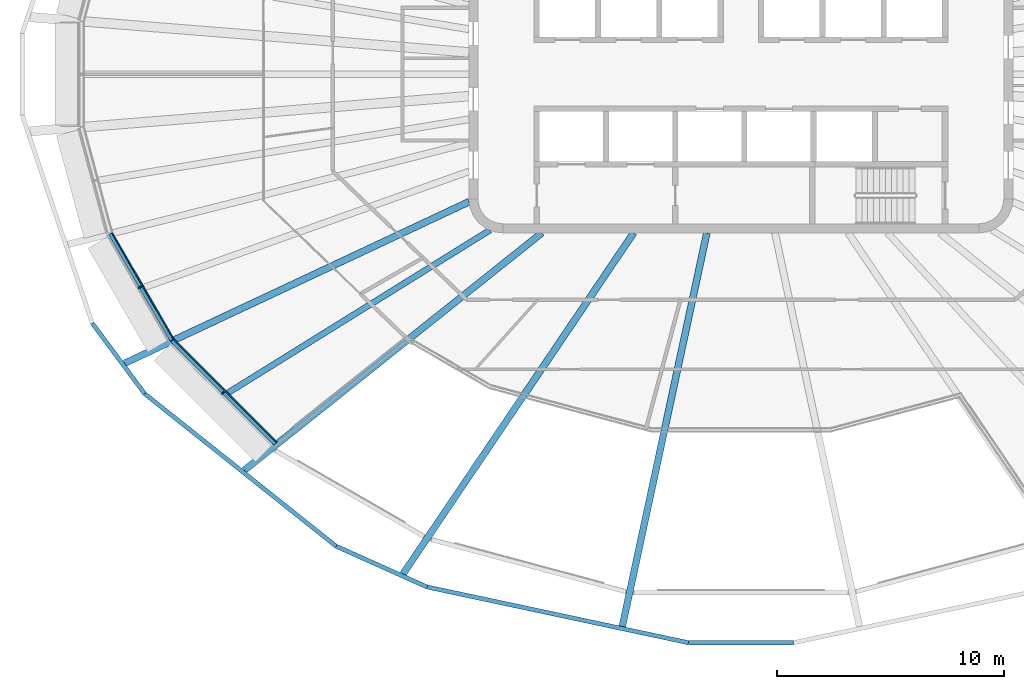
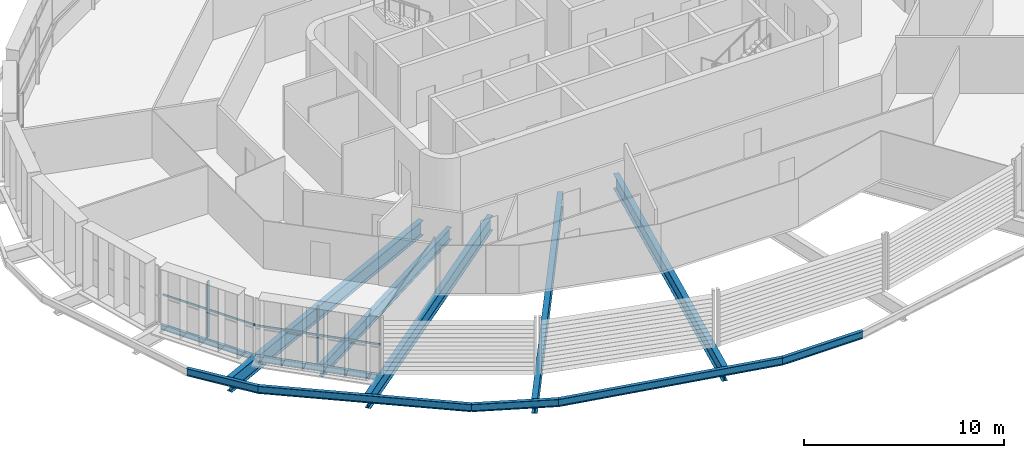
# One storey, part 1 of 19: 12 beams, 4 members, 2 elements without a shape of their own.
"""IFC4 building model written with IfcOpenShell, lengths in metres."""

import ifcopenshell
import ifcopenshell.guid

model = None  # the IFC model being written
_history = None  # IfcOwnerHistory: only IFC2X3 demands one
_inside = {}  # id of a spatial element -> (the spatial element, [elements in it])
_under = {}  # id of a project, library or spatial element -> (it, [spatial elements below it])
_declared = {}  # id of a project -> (the project, [libraries it declares])
_typed = {}  # id of a type object -> (the type object, [elements of that type])
_made_of = {}  # id of a material, layer set ... -> (it, [elements and type objects made of it])


def new_model(schema):
    """Start an empty IFC model of exactly this schema.

    Asked for "IFC4X3", IfcOpenShell would pick the latest addendum, in which some entities
    have other attributes; the version numbers below select the first issue.
    IFC2X3 requires an IfcOwnerHistory on every rooted entity: one is made here for all.
    """
    global model, _history
    if schema == "IFC4X3":
        model = ifcopenshell.file(schema_version=(4, 3, 0, 0))
    else:
        model = ifcopenshell.file(schema=schema)
    _inside.clear()
    _under.clear()
    _declared.clear()
    _typed.clear()
    _made_of.clear()
    _history = None
    if model.schema == "IFC2X3":
        org = make("IfcOrganization", Name="unknown")
        user = make(
            "IfcPersonAndOrganization",
            ThePerson=make("IfcPerson", FamilyName="unknown"),
            TheOrganization=org,
        )
        app = make(
            "IfcApplication",
            ApplicationDeveloper=org,
            Version="unknown",
            ApplicationFullName="unknown",
            ApplicationIdentifier="unknown",
        )
        _history = make(
            "IfcOwnerHistory",
            OwningUser=user,
            OwningApplication=app,
            ChangeAction="ADDED",
            CreationDate=0,
        )
    return model


def make(cls, **values):
    """One entity of the class cls with the attributes given. An attribute that is None is left unset."""
    return model.create_entity(
        cls, **{name: value for name, value in values.items() if value is not None}
    )


def rooted(cls, **values):
    """An entity with a GlobalId (a new one), such as an element, a storey or a relation."""
    return make(cls, GlobalId=ifcopenshell.guid.new(), OwnerHistory=_history, **values)


def si_unit(unit_type, name, prefix=None):
    """IfcSIUnit, for example si_unit("LENGTHUNIT", "METRE", prefix="MILLI")."""
    return make("IfcSIUnit", UnitType=unit_type, Prefix=prefix, Name=name)


def assignment(units):
    """IfcUnitAssignment: the units of a project."""
    return None if units is None else make("IfcUnitAssignment", Units=units)


def point(xyz):
    """IfcCartesianPoint."""
    return None if xyz is None else make("IfcCartesianPoint", Coordinates=xyz)


def direction(xyz):
    """IfcDirection."""
    return None if xyz is None else make("IfcDirection", DirectionRatios=xyz)


def frame(location, z_axis=None, x_axis=None):
    """IfcAxis2Placement3D, a coordinate frame: its origin and axes. An axis left out is left unset."""
    return make(
        "IfcAxis2Placement3D",
        Location=point(location),
        Axis=direction(z_axis),
        RefDirection=direction(x_axis),
    )


def frame_2d(location, x_axis=None):
    """IfcAxis2Placement2D, a coordinate frame in the plane: its origin and x axis."""
    return make(
        "IfcAxis2Placement2D", Location=point(location), RefDirection=direction(x_axis)
    )


def origin():
    """The frame at (0, 0, 0) with its axes left unset."""
    return frame((0.0, 0.0, 0.0))


def origin_2d():
    """The frame at (0, 0) in the plane with its x axis left unset."""
    return frame_2d((0.0, 0.0))


def place(relative_to, where):
    """IfcLocalPlacement: puts the frame where relative to a parent placement (None: the world)."""
    return make(
        "IfcLocalPlacement", PlacementRelTo=relative_to, RelativePlacement=where
    )


def context(
    kind, dimensions, precision=None, world=None, true_north=None, identifier=None
):
    """IfcGeometricRepresentationContext, for example the 3D "Model" context."""
    return make(
        "IfcGeometricRepresentationContext",
        ContextIdentifier=identifier,
        ContextType=kind,
        CoordinateSpaceDimension=dimensions,
        Precision=precision,
        WorldCoordinateSystem=world,
        TrueNorth=true_north,
    )


def subcontext(parent, identifier, kind, view, scale=None):
    """IfcGeometricRepresentationSubContext, for example "Body" below "Model"."""
    return make(
        "IfcGeometricRepresentationSubContext",
        ContextIdentifier=identifier,
        ContextType=kind,
        ParentContext=parent,
        TargetScale=scale,
        TargetView=view,
    )


def project(units=None, contexts=None):
    """IfcProject with its units and contexts."""
    return rooted(
        "IfcProject",
        Name="project",
        RepresentationContexts=contexts,
        UnitsInContext=assignment(units),
    )


def spatial(cls, under=None, at=None, **own):
    """A site, building, storey or space (cls), placed at a placement, below another one or the project."""
    s = rooted(cls, ObjectPlacement=at, **own)
    if under is not None:
        _under.setdefault(under.id(), (under, []))[1].append(s)
    return s


def profile(cls, at=None, kind="AREA", **sizes):
    """A parametric profile (cls). Its sizes go by their IFC names, for example OverallWidth=200.0."""
    return make(cls, ProfileType=kind, Position=at, **sizes)


def rectangle(**sizes):
    """IfcRectangleProfileDef."""
    return profile("IfcRectangleProfileDef", **sizes)


def i_section(**sizes):
    """IfcIShapeProfileDef."""
    return profile("IfcIShapeProfileDef", **sizes)


def extrude(swept, where, along, depth):
    """IfcExtrudedAreaSolid: the profile swept, set in the frame where, extruded along a direction by depth."""
    return make(
        "IfcExtrudedAreaSolid",
        SweptArea=swept,
        Position=where,
        ExtrudedDirection=direction(along),
        Depth=depth,
    )


def shape(context_of_items, identifier, shape_type, items):
    """IfcShapeRepresentation: the items that make up one representation, for example the "Body"."""
    return make(
        "IfcShapeRepresentation",
        ContextOfItems=context_of_items,
        RepresentationIdentifier=identifier,
        RepresentationType=shape_type,
        Items=items,
    )


def material(Name=None, Category=None):
    """IfcMaterial."""
    return make("IfcMaterial", Name=Name, Category=Category)


def layer(
    of_material, thickness, ventilated=None, Name=None, Category=None, Priority=None
):
    """IfcMaterialLayer: one layer of a wall or slab, of a material (None: an air gap)."""
    return make(
        "IfcMaterialLayer",
        Material=of_material,
        LayerThickness=thickness,
        IsVentilated=ventilated,
        Name=Name,
        Category=Category,
        Priority=Priority,
    )


def layer_set(layers, Name=None):
    """IfcMaterialLayerSet."""
    return make("IfcMaterialLayerSet", MaterialLayers=layers, LayerSetName=Name)


def material_profile(
    of_material, cross_section, Name=None, Category=None, Priority=None
):
    """IfcMaterialProfile: a cross section and its material."""
    return make(
        "IfcMaterialProfile",
        Name=Name,
        Material=of_material,
        Profile=cross_section,
        Priority=Priority,
        Category=Category,
    )


def profile_set(profiles, Name=None, composite=None):
    """IfcMaterialProfileSet."""
    return make(
        "IfcMaterialProfileSet",
        Name=Name,
        MaterialProfiles=profiles,
        CompositeProfile=composite,
    )


def made_of(thing, what):
    """Note that an element or type object is made of a material, layer set ...; save() writes the relation."""
    if what is not None:
        _made_of.setdefault(what.id(), (what, []))[1].append(thing)
    return thing


def type_object(cls, material=None, **own):
    """A type object (cls), such as IfcWallType, which elements share."""
    return made_of(rooted(cls, **own), material)


def element(
    cls,
    number,
    at=None,
    inside=None,
    cuts=None,
    type_object=None,
    material=None,
    context=None,
    identifier="Body",
    shape_type=None,
    held_by="IfcProductDefinitionShape",
    body=None,
    shapes=None,
    **own,
):
    """One element of the class cls, such as IfcWall. Its Tag is "e" and its number.

    at: its placement. inside: the storey or other place that contains it. cuts: it is an
    opening in that element (IfcRelVoidsElement). A single representation is given by context,
    identifier, shape_type and body (its items); several are given by shapes. held_by: the class
    of the entity that holds the representations. save() writes the other relations.
    """
    e = rooted(cls, Tag="e%d" % number, ObjectPlacement=at, **own)
    if body is not None:
        shapes = [shape(context, identifier, shape_type, body)]
    if shapes is not None:
        e.Representation = make(held_by, Representations=shapes)
    if inside is not None:
        _inside.setdefault(inside.id(), (inside, []))[1].append(e)
    if cuts is not None:
        rooted(
            "IfcRelVoidsElement", RelatingBuildingElement=cuts, RelatedOpeningElement=e
        )
    if type_object is not None:
        _typed.setdefault(type_object.id(), (type_object, []))[1].append(e)
    return made_of(e, material)


def aggregate(whole, parts):
    """IfcRelAggregates: a whole, such as a stair, and the parts it consists of."""
    return rooted("IfcRelAggregates", RelatingObject=whole, RelatedObjects=parts)


def save(model, path):
    """Write the relations noted so far, then the file.

    IfcRelAggregates (storeys below a building ...), IfcRelContainedInSpatialStructure (elements
    in a storey), IfcRelDefinesByType, IfcRelAssociatesMaterial and IfcRelDeclares: one each for
    every whole, place, type object, material and project.
    """
    for whole, parts in _under.values():
        aggregate(whole, parts)
    for where, things in _inside.values():
        rooted(
            "IfcRelContainedInSpatialStructure",
            RelatedElements=things,
            RelatingStructure=where,
        )
    for kind, things in _typed.values():
        rooted("IfcRelDefinesByType", RelatedObjects=things, RelatingType=kind)
    for what, things in _made_of.values():
        rooted("IfcRelAssociatesMaterial", RelatedObjects=things, RelatingMaterial=what)
    for by, libraries in _declared.values():
        rooted("IfcRelDeclares", RelatingContext=by, RelatedDefinitions=libraries)
    model.write(path)


model = new_model("IFC4")

# Units and contexts
model_context = context("Model", 3, precision=1e-05, world=origin(), true_north=direction((0.0, 1.0)))
body_context = subcontext(model_context, "Body", "Model", "MODEL_VIEW")
ifc_project = project(units=[si_unit("LENGTHUNIT", "METRE"), si_unit("AREAUNIT", "SQUARE_METRE"), si_unit("VOLUMEUNIT", "CUBIC_METRE"), si_unit("PLANEANGLEUNIT", "RADIAN"), si_unit("MASSUNIT", "GRAM", prefix="KILO")], contexts=[model_context])

# Site, building, storey
site_placement = place(None, origin())
site = spatial("IfcSite", under=ifc_project, at=site_placement, CompositionType="ELEMENT")
building_placement = place(site_placement, origin())
building = spatial("IfcBuilding", under=site, at=building_placement, Name="Sahrelin Media Tower", CompositionType="ELEMENT")
storey_placement = place(building_placement, frame((0.0, 0.0, 279.0)))
storey = spatial("IfcBuildingStorey", under=building, at=storey_placement, Name="L61", CompositionType="ELEMENT", Elevation=279.0)

# Beams
ifc_material_1 = material(Name="Steel S355", Category="steel")
ifc_material_profile_1 = material_profile(ifc_material_1, i_section(OverallWidth=0.1650390625, OverallDepth=0.303466796875, WebThickness=0.006103515625, FlangeThickness=0.01025390625, FilletRadius=0.0087890625, at=origin_2d()), Name="UB 305x165x40")
ifc_profile_set_1 = profile_set([ifc_material_profile_1], Name="Steel S355")
beam_type_1 = type_object("IfcBeamType", Name="Edge beam EB2", PredefinedType="BEAM", material=ifc_profile_set_1)
beam_1_placement = place(storey_placement, frame((-25.110595703125, -11.724853515625, -0.3017578125), z_axis=(-0.500004447669, 0.866022835906, 0.0), x_axis=(-0.866022835906, -0.500004447669, 0.0)))
element("IfcBeam", 1, at=beam_1_placement, inside=storey, type_object=beam_type_1, Name="Edge beam L61-07", PredefinedType="BEAM", context=body_context, shape_type="SweptSolid", body=[
    extrude(i_section(OverallWidth=0.1650390625, OverallDepth=0.303466796875, WebThickness=0.006103515625, FlangeThickness=0.01025390625, FilletRadius=0.0087890625, at=origin_2d()), origin(), (0.0, 0.0, 1.0), 5.4208984375),
])
ifc_material_profile_2 = material_profile(ifc_material_1, i_section(OverallWidth=0.17138671875, OverallDepth=0.35498046875, WebThickness=0.00732421875, FlangeThickness=0.011474609375, FilletRadius=0.01025390625, at=origin_2d()), Name="UB 356x171x51")
ifc_profile_set_2 = profile_set([ifc_material_profile_2], Name="Steel S355")
beam_type_2 = type_object("IfcBeamType", Name="Edge beam EB3", PredefinedType="BEAM", material=ifc_profile_set_2)
beam_2_placement = place(storey_placement, frame((-20.533203125, -16.3076171875, -0.327392578125), z_axis=(-0.707106781187, 0.707106781187, 0.0), x_axis=(-0.707106781187, -0.707106781187, 0.0)))
element("IfcBeam", 2, at=beam_2_placement, inside=storey, type_object=beam_type_2, Name="Edge beam L61-06", PredefinedType="BEAM", context=body_context, shape_type="SweptSolid", body=[
    extrude(i_section(OverallWidth=0.17138671875, OverallDepth=0.35498046875, WebThickness=0.00732421875, FlangeThickness=0.011474609375, FilletRadius=0.01025390625, at=origin_2d()), origin(), (0.0, 0.0, 1.0), 6.448486328125),
])

# Curtain wall, member
ifc_material_2 = material(Name="Champagne anodised aluminium 6063-T6", Category="aluminium")
ifc_layer = layer(ifc_material_2, 0.14990234375)
ifc_layer_set = layer_set([ifc_layer], Name="Tower ribbon curtain wall")
curtain_wall_type = type_object("IfcCurtainWallType", Name="Tower ribbon curtain wall", PredefinedType="NOTDEFINED", material=ifc_layer_set)
curtain_wall_1_placement = place(storey_placement, frame((-26.595703125, -9.452392578125, 0.0), z_axis=(0.0, 0.0, 1.0), x_axis=(1.0, 0.0, 0.0)))
curtain_wall_1 = element("IfcCurtainWall", 3, at=curtain_wall_1_placement, inside=storey, type_object=curtain_wall_type, Name="L61:CW:L61-14", PredefinedType="NOTDEFINED")
ifc_material_profile_3 = material_profile(ifc_material_2, rectangle(XDim=0.06005859375, YDim=0.199951171875, at=origin_2d()), Name="Mullion 60x200")
ifc_profile_set_3 = profile_set([ifc_material_profile_3], Name="Champagne anodised aluminium 6063-T6")
member_type_1 = type_object("IfcMemberType", Name="Mullion 60x200 CW1C", PredefinedType="MULLION", material=ifc_profile_set_3)
member_1_placement = place(storey_placement, frame((-26.49169921875, -9.392578125, 0.0), z_axis=(0.0, 0.0, 1.0), x_axis=(0.499996976998, -0.866027149108, 0.0)))
member_1 = element("IfcMember", 4, at=member_1_placement, type_object=member_type_1, Name="L61:CWM:L61-14", PredefinedType="MULLION", context=body_context, shape_type="SweptSolid", body=[
    extrude(rectangle(XDim=0.06005859375, YDim=0.199951171875, at=origin_2d()), origin(), (0.0, 0.0, 1.0), 3.448486328125),
])

curtain_wall_2_placement = place(storey_placement, frame((-22.919189453125, -14.133544921875, 0.0), z_axis=(0.0, 0.0, 1.0), x_axis=(1.0, 0.0, 0.0)))
curtain_wall_2 = element("IfcCurtainWall", 5, at=curtain_wall_2_placement, inside=storey, type_object=curtain_wall_type, Name="L61:CW:L61-15", PredefinedType="NOTDEFINED")
member_2_placement = place(storey_placement, frame((-22.83447265625, -14.048828125, 0.0), z_axis=(0.0, 0.0, 1.0), x_axis=(0.707106781187, -0.707106781187, 0.0)))
member_2 = element("IfcMember", 6, at=member_2_placement, type_object=member_type_1, Name="L61:CWM:L61-15", PredefinedType="MULLION", context=body_context, shape_type="SweptSolid", body=[
    extrude(rectangle(XDim=0.06005859375, YDim=0.199951171875, at=origin_2d()), origin(), (0.0, 0.0, 1.0), 3.448486328125),
])

# Beams
ifc_material_profile_4 = material_profile(ifc_material_1, i_section(OverallWidth=0.30322265625, OverallDepth=0.903076171875, WebThickness=0.01513671875, FlangeThickness=0.020263671875, FilletRadius=0.01904296875, at=origin_2d()), Name="UB 914x305x201")
ifc_profile_set_4 = profile_set([ifc_material_profile_4], Name="Steel S355")
beam_type_3 = type_object("IfcBeamType", Name="Radial primary beam PB11", PredefinedType="BEAM", material=ifc_profile_set_4)
beam_3_placement = place(storey_placement, frame((-11.984130859375, -5.620361328125, -0.6015625), z_axis=(-0.905376992167, -0.42460864576, 0.0), x_axis=(0.42460864576, -0.905376992167, 0.0)))
element("IfcBeam", 7, at=beam_3_placement, inside=storey, type_object=beam_type_3, Name="Radial beam L61-15", PredefinedType="BEAM", context=body_context, shape_type="SweptSolid", body=[
    extrude(i_section(OverallWidth=0.30322265625, OverallDepth=0.903076171875, WebThickness=0.01513671875, FlangeThickness=0.020263671875, FilletRadius=0.01904296875, at=origin_2d()), origin(), (0.0, 0.0, 1.0), 16.78466796875),
])
beam_4_placement = place(storey_placement, frame((-8.77880859375, -7.0, -0.6015625), z_axis=(-0.781873501952, -0.62343710745, 0.0), x_axis=(0.62343710745, -0.781873501952, 0.0)))
element("IfcBeam", 8, at=beam_4_placement, inside=storey, type_object=beam_type_3, Name="Radial beam L61-16", PredefinedType="BEAM", context=body_context, shape_type="SweptSolid", body=[
    extrude(i_section(OverallWidth=0.30322265625, OverallDepth=0.903076171875, WebThickness=0.01513671875, FlangeThickness=0.020263671875, FilletRadius=0.01904296875, at=origin_2d()), origin(), (0.0, 0.0, 1.0), 16.79150390625),
])
beam_5_placement = place(storey_placement, frame((-4.7333984375, -7.0, -0.6015625), z_axis=(-0.560166073141, -0.828380329621, 0.0), x_axis=(0.828380329621, -0.560166073141, 0.0)))
element("IfcBeam", 9, at=beam_5_placement, inside=storey, type_object=beam_type_3, Name="Radial beam L61-17", PredefinedType="BEAM", context=body_context, shape_type="SweptSolid", body=[
    extrude(i_section(OverallWidth=0.30322265625, OverallDepth=0.903076171875, WebThickness=0.01513671875, FlangeThickness=0.020263671875, FilletRadius=0.01904296875, at=origin_2d()), origin(), (0.0, 0.0, 1.0), 18.153076171875),
])
beam_6_placement = place(storey_placement, frame((-1.50341796875, -7.0, -0.6015625), z_axis=(-0.209955483333, -0.977710946558, 0.0), x_axis=(0.977710946558, -0.209955483333, 0.0)))
element("IfcBeam", 10, at=beam_6_placement, inside=storey, type_object=beam_type_3, Name="Radial beam L61-18", PredefinedType="BEAM", context=body_context, shape_type="SweptSolid", body=[
    extrude(i_section(OverallWidth=0.30322265625, OverallDepth=0.903076171875, WebThickness=0.01513671875, FlangeThickness=0.020263671875, FilletRadius=0.01904296875, at=origin_2d()), origin(), (0.0, 0.0, 1.0), 17.751708984375),
])
ifc_material_profile_5 = material_profile(ifc_material_1, i_section(OverallWidth=0.26513671875, OverallDepth=0.75390625, WebThickness=0.0126953125, FlangeThickness=0.017578125, FilletRadius=0.0166015625, at=origin_2d()), Name="UB 762x267x147")
ifc_profile_set_5 = profile_set([ifc_material_profile_5], Name="Steel S355")
beam_type_4 = type_object("IfcBeamType", Name="Radial secondary beam SB9", PredefinedType="BEAM", material=ifc_profile_set_5)
beam_7_placement = place(storey_placement, frame((-11.0673828125, -6.87451171875, -0.527099609375), z_axis=(-0.849458639342, -0.527655209439, 0.0), x_axis=(0.527655209439, -0.849458639342, 0.0)))
element("IfcBeam", 11, at=beam_7_placement, inside=storey, type_object=beam_type_4, Name="Secondary beam L61-15", PredefinedType="BEAM", context=body_context, shape_type="SweptSolid", body=[
    extrude(i_section(OverallWidth=0.26513671875, OverallDepth=0.75390625, WebThickness=0.0126953125, FlangeThickness=0.017578125, FilletRadius=0.0166015625, at=origin_2d()), origin(), (0.0, 0.0, 1.0), 13.635498046875),
])
ifc_material_profile_6 = material_profile(ifc_material_1, i_section(OverallWidth=0.1904296875, OverallDepth=0.45703125, WebThickness=0.009033203125, FlangeThickness=0.014404296875, FilletRadius=0.01025390625, at=origin_2d()), Name="UB 457x191x74")
ifc_profile_set_6 = profile_set([ifc_material_profile_6], Name="Steel S355")
beam_type_5 = type_object("IfcBeamType", Name="Tie chord TC5", PredefinedType="BEAM", material=ifc_profile_set_6)
beam_8_placement = place(storey_placement, frame((-28.61181640625, -10.981689453125, -0.37841796875), z_axis=(0.596610251129, -0.802531126031, 0.0), x_axis=(0.802531126031, 0.596610251129, 0.0)))
element("IfcBeam", 12, at=beam_8_placement, inside=storey, type_object=beam_type_5, Name="Tie chord L61-14", PredefinedType="BEAM", context=body_context, shape_type="SweptSolid", body=[
    extrude(i_section(OverallWidth=0.1904296875, OverallDepth=0.45703125, WebThickness=0.009033203125, FlangeThickness=0.014404296875, FilletRadius=0.01025390625, at=origin_2d()), origin(), (0.0, 0.0, 1.0), 3.878173828125),
])
beam_9_placement = place(storey_placement, frame((-26.298095703125, -14.093994140625, -0.37841796875), z_axis=(0.782259324086, -0.6229529275, 0.0), x_axis=(0.6229529275, 0.782259324086, 0.0)))
element("IfcBeam", 13, at=beam_9_placement, inside=storey, type_object=beam_type_5, Name="Tie chord L61-15", PredefinedType="BEAM", context=body_context, shape_type="SweptSolid", body=[
    extrude(i_section(OverallWidth=0.1904296875, OverallDepth=0.45703125, WebThickness=0.009033203125, FlangeThickness=0.014404296875, FilletRadius=0.01025390625, at=origin_2d()), origin(), (0.0, 0.0, 1.0), 10.79345703125),
])
beam_10_placement = place(storey_placement, frame((-17.854736328125, -20.81787109375, -0.37841796875), z_axis=(0.91245851259, -0.409169234915, 0.0), x_axis=(0.409169234915, 0.91245851259, 0.0)))
element("IfcBeam", 14, at=beam_10_placement, inside=storey, type_object=beam_type_5, Name="Tie chord L61-16", PredefinedType="BEAM", context=body_context, shape_type="SweptSolid", body=[
    extrude(i_section(OverallWidth=0.1904296875, OverallDepth=0.45703125, WebThickness=0.009033203125, FlangeThickness=0.014404296875, FilletRadius=0.01025390625, at=origin_2d()), origin(), (0.0, 0.0, 1.0), 4.3916015625),
])
beam_11_placement = place(storey_placement, frame((-13.84765625, -22.61474609375, -0.37841796875), z_axis=(0.977987429466, -0.208663815278, 0.0), x_axis=(0.208663815278, 0.977987429466, 0.0)))
element("IfcBeam", 15, at=beam_11_placement, inside=storey, type_object=beam_type_5, Name="Tie chord L61-17", PredefinedType="BEAM", context=body_context, shape_type="SweptSolid", body=[
    extrude(i_section(OverallWidth=0.1904296875, OverallDepth=0.45703125, WebThickness=0.009033203125, FlangeThickness=0.014404296875, FilletRadius=0.01025390625, at=origin_2d()), origin(), (0.0, 0.0, 1.0), 11.793701171875),
])
beam_12_placement = place(storey_placement, frame((-2.3134765625, -25.07568359375, -0.37841796875), z_axis=(1.0, 0.0, 0.0), x_axis=(0.0, 1.0, 0.0)))
element("IfcBeam", 16, at=beam_12_placement, inside=storey, type_object=beam_type_5, Name="Tie chord L61-18", PredefinedType="BEAM", context=body_context, shape_type="SweptSolid", body=[
    extrude(i_section(OverallWidth=0.1904296875, OverallDepth=0.45703125, WebThickness=0.009033203125, FlangeThickness=0.014404296875, FilletRadius=0.01025390625, at=origin_2d()), origin(), (0.0, 0.0, 1.0), 4.626953125),
])

# Member
ifc_material_profile_7 = material_profile(ifc_material_2, rectangle(XDim=0.050048828125, YDim=0.1201171875, at=origin_2d()), Name="Transom 50x120")
ifc_profile_set_7 = profile_set([ifc_material_profile_7], Name="Champagne anodised aluminium 6063-T6")
member_type_2 = type_object("IfcMemberType", Name="Transom 50x120 CW1C", PredefinedType="USERDEFINED", material=ifc_profile_set_7)
member_3_placement = place(storey_placement, frame((-27.73095703125, -6.996337890625, 1.60009765625), z_axis=(0.500007391159, -0.866021136455, 0.0), x_axis=(0.866021136455, 0.500007391159, 0.0)))
member_3 = element("IfcMember", 17, at=member_3_placement, type_object=member_type_2, Name="L61:CWT:L61-14", ObjectType="TRANSOM", PredefinedType="USERDEFINED", context=body_context, shape_type="SweptSolid", body=[
    extrude(rectangle(XDim=0.050048828125, YDim=0.1201171875, at=origin_2d()), origin(), (0.0, 0.0, 1.0), 5.3896484375),
])

aggregate(curtain_wall_1, [member_1, member_3])

member_4_placement = place(storey_placement, frame((-25.014892578125, -11.691650390625, 1.60009765625), z_axis=(0.707106781187, -0.707106781187, 0.0), x_axis=(0.707106781187, 0.707106781187, 0.0)))
member_4 = element("IfcMember", 18, at=member_4_placement, type_object=member_type_2, Name="L61:CWT:L61-15", ObjectType="TRANSOM", PredefinedType="USERDEFINED", context=body_context, shape_type="SweptSolid", body=[
    extrude(rectangle(XDim=0.050048828125, YDim=0.1201171875, at=origin_2d()), origin(), (0.0, 0.0, 1.0), 6.417236328125),
])

aggregate(curtain_wall_2, [member_2, member_4])

save(model, "model.ifc")
